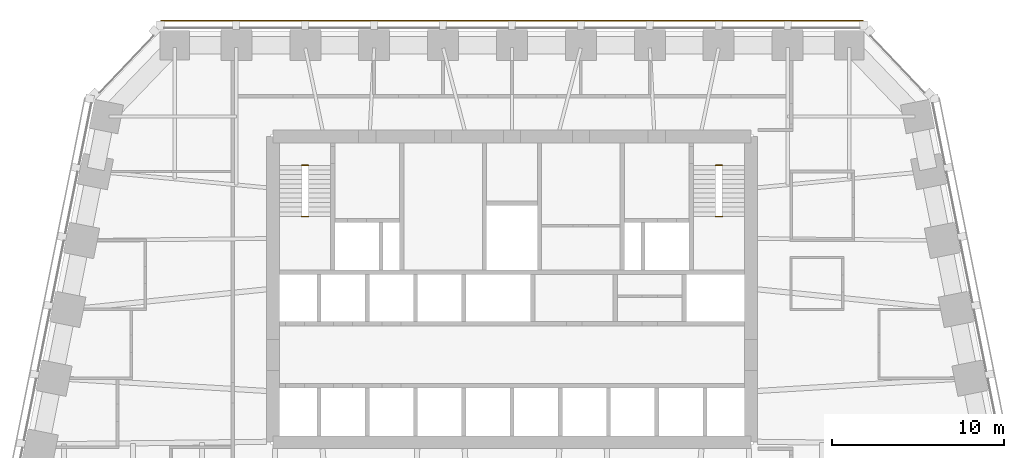
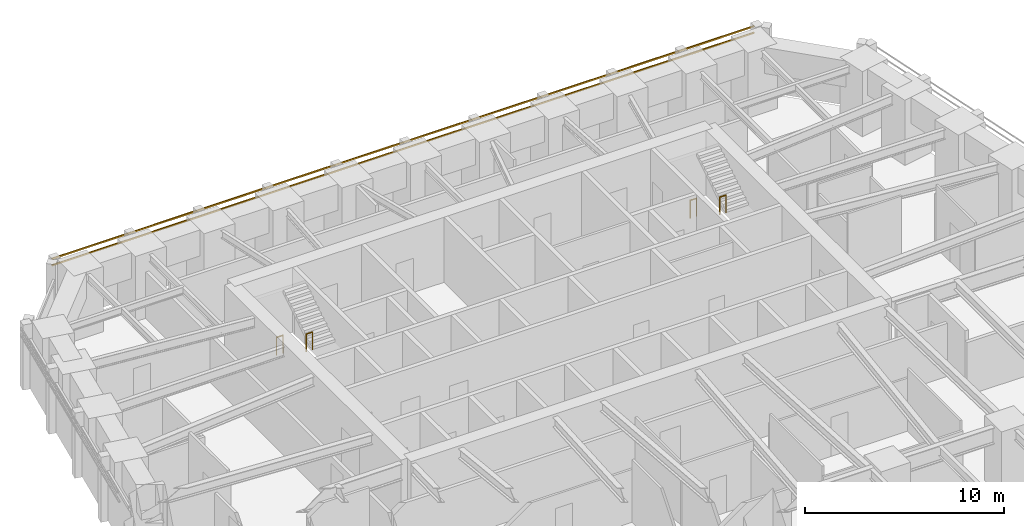
# One storey, part 10 of 10: 4 railings, 2 shading devices.
"""IFC4 building model written with IfcOpenShell, lengths in metres."""

from ifc_helpers import new_model, si_unit, direction, frame, origin, origin_2d, place, context, subcontext, project, spatial, rectangle, circle, extrude, material, material_profile, profile_set, type_object, element, save


model = new_model("IFC4")

# Units and contexts
model_context = context("Model", 3, precision=1e-05, world=origin(), true_north=direction((0.0, 1.0)))
body_context = subcontext(model_context, "Body", "Model", "MODEL_VIEW")
ifc_project = project(units=[si_unit("LENGTHUNIT", "METRE"), si_unit("AREAUNIT", "SQUARE_METRE"), si_unit("VOLUMEUNIT", "CUBIC_METRE"), si_unit("PLANEANGLEUNIT", "RADIAN"), si_unit("MASSUNIT", "GRAM", prefix="KILO")], contexts=[model_context])

# Site, building, storey
site_placement = place(None, origin())
site = spatial("IfcSite", under=ifc_project, at=site_placement, CompositionType="ELEMENT")
building_placement = place(site_placement, origin())
building = spatial("IfcBuilding", under=site, at=building_placement, Name="Isbrekke Arena Tower", CompositionType="ELEMENT")
storey_placement = place(building_placement, frame((0.0, 0.0, 119.0)))
storey = spatial("IfcBuildingStorey", under=building, at=storey_placement, Name="L26", CompositionType="ELEMENT", Elevation=119.0)

# Shading devices
ifc_material_1 = material(Name="Terracotta", Category="masonry")
ifc_material_profile = material_profile(ifc_material_1, rectangle(XDim=0.06005859375, YDim=0.06005859375, at=origin_2d()), Name="BAGUETTE 60X60")
ifc_profile_set = profile_set([ifc_material_profile], Name="Terracotta")
shading_device_type = type_object("IfcShadingDeviceType", Name="BG1 TERRACOTTA BAGUETTE 60 x 60", PredefinedType="USERDEFINED", material=ifc_profile_set)
for number, where, z_axis, x_axis, name in (
    (1, (20.39990234375, 30.60498046875, 3.280029296875), (-1.0, 0.0, 0.0), (0.0, -1.0, 0.0), "BG1 terracotta baguette N1 L26"),
    (2, (20.39990234375, 30.60498046875, 3.679931640625), (-1.0, 0.0, 0.0), (0.0, -1.0, 0.0), "BG1 terracotta baguette N2 L26"),
):
    element("IfcShadingDevice", number, at=place(storey_placement, frame(where, z_axis=z_axis, x_axis=x_axis)), inside=storey, type_object=shading_device_type, Name=name, ObjectType="TERRACOTTA BAGUETTE", PredefinedType="USERDEFINED", context=body_context, shape_type="SweptSolid", body=[
        extrude(rectangle(XDim=0.06005859375, YDim=0.06005859375, at=origin_2d()), origin(), (0.0, 0.0, 1.0), 40.7998046875),
    ])

# Railings
ifc_material_2 = material(Name="Steel stair guard, vertical bars, steel handrail", Category="steel")
railing_type = type_object("IfcRailingType", Name="GR3 STAIR WELL GUARD 1100", PredefinedType="GUARDRAIL", material=ifc_material_2)
for number, where, name in (
    (3, (-12.199951171875, 22.199951171875, 0.0), "GR3 stair well guard ST1 L26"),
    (4, (-12.199951171875, 19.22998046875, 2.0), "GR3 stair well guard ST1 L26"),
    (5, (11.824951171875, 22.199951171875, 0.0), "GR3 stair well guard ST2 L26"),
    (6, (11.824951171875, 19.22998046875, 2.0), "GR3 stair well guard ST2 L26"),
):
    element("IfcRailing", number, at=place(storey_placement, frame(where)), inside=storey, type_object=railing_type, Name=name, PredefinedType="GUARDRAIL", context=body_context, shape_type="SweptSolid", body=[
        extrude(circle(Radius=0.02392578125, at=origin_2d()), frame((0.0, 0.0, 1.076171875), z_axis=(1.0, 0.0, 0.0), x_axis=(0.0, 1.0, 0.0)), (0.0, 0.0, 1.0), 0.375),
        extrude(circle(Radius=0.02099609375, at=origin_2d()), origin(), (0.0, 0.0, 1.0), 1.052001953125),
        extrude(circle(Radius=0.02099609375, at=origin_2d()), frame((0.375, 0.0, 0.0)), (0.0, 0.0, 1.0), 1.052001953125),
    ])

save(model, "model.ifc")
